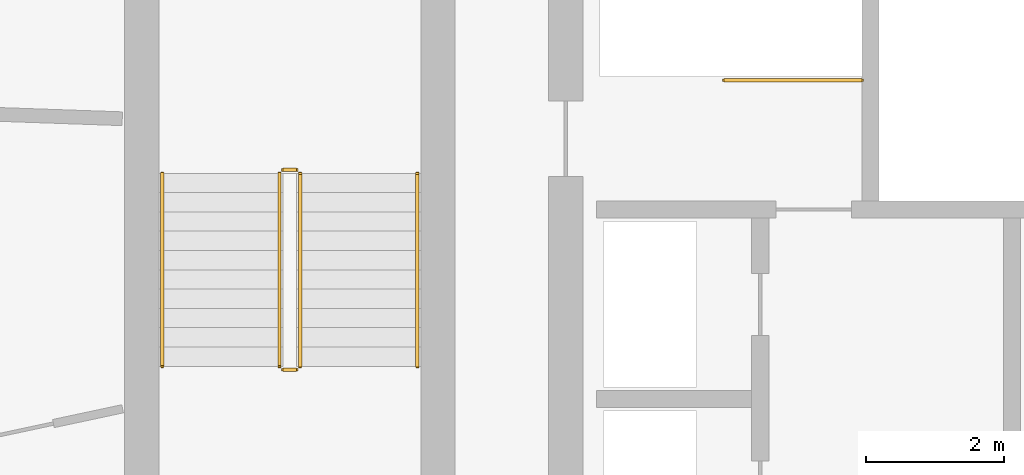
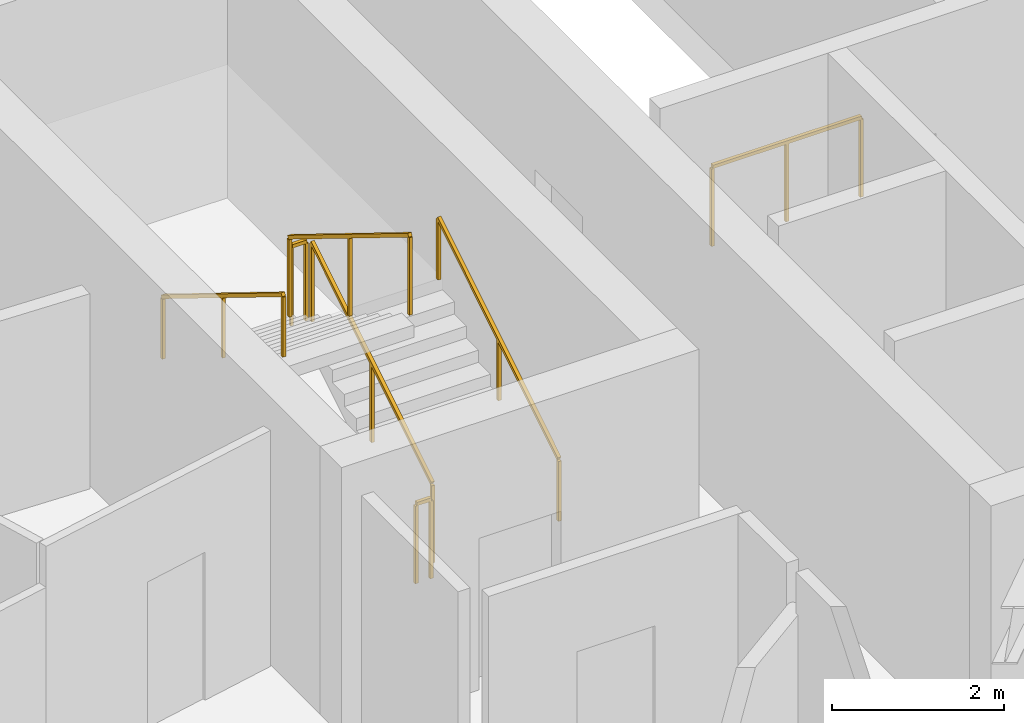
# One storey, part 20 of 22: 7 railings.
"""IFC4 building model written with IfcOpenShell, lengths in metres."""

from ifc_helpers import new_model, si_unit, direction, frame, origin, origin_2d, place, context, subcontext, project, spatial, rectangle, extrude, material, type_object, element, save


model = new_model("IFC4")

# Units and contexts
model_context = context("Model", 3, precision=1e-05, world=origin(), true_north=direction((0.0, 1.0)))
body_context = subcontext(model_context, "Body", "Model", "MODEL_VIEW")
ifc_project = project(units=[si_unit("LENGTHUNIT", "METRE"), si_unit("AREAUNIT", "SQUARE_METRE"), si_unit("VOLUMEUNIT", "CUBIC_METRE"), si_unit("PLANEANGLEUNIT", "RADIAN"), si_unit("MASSUNIT", "GRAM", prefix="KILO")], contexts=[model_context])

# Site, building, storey
site_placement = place(None, origin())
site = spatial("IfcSite", under=ifc_project, at=site_placement, CompositionType="ELEMENT")
building_placement = place(site_placement, origin())
building = spatial("IfcBuilding", under=site, at=building_placement, Name="Zuhravey Tower", CompositionType="ELEMENT")
storey_placement = place(building_placement, frame((0.0, 0.0, 357.60009765625)))
storey = spatial("IfcBuildingStorey", under=building, at=storey_placement, Name="L91", CompositionType="ELEMENT", Elevation=357.60009765625)

# Railings
ifc_material_1 = material(Name="Brushed stainless steel", Category="steel")
railing_type_1 = type_object("IfcRailingType", Name="Stair Wall Handrail 900", PredefinedType="HANDRAIL", material=ifc_material_1)
railing_1_placement = place(storey_placement, frame((23.35009765625, 29.0, 0.172607421875)))
element("IfcRailing", 1, at=railing_1_placement, inside=storey, type_object=railing_type_1, Name="L91 CST1 stair handrail 1", PredefinedType="HANDRAIL", context=body_context, shape_type="SweptSolid", body=[
    extrude(rectangle(XDim=0.048095703125, YDim=0.048095703125, at=origin_2d()), frame((0.0, 0.001708984375, 0.876953125), z_axis=(0.0, 0.851089632645, 0.525020415988), x_axis=(-1.0, 0.0, 0.0)), (0.0, 0.0, 1.0), 3.285888671875),
    extrude(rectangle(XDim=0.0419921875, YDim=0.0419921875, at=origin_2d()), origin(), (0.0, 0.0, 1.0), 0.849853515625),
    extrude(rectangle(XDim=0.0419921875, YDim=0.0419921875, at=origin_2d()), frame((0.0, 1.39990234375, 0.86376953125)), (0.0, 0.0, 1.0), 0.849853515625),
    extrude(rectangle(XDim=0.0419921875, YDim=0.0419921875, at=origin_2d()), frame((0.0, 2.800048828125, 1.727294921875)), (0.0, 0.0, 1.0), 0.849853515625),
])
railing_2_placement = place(storey_placement, frame((19.64990234375, 31.800048828125, 2.072509765625)))
element("IfcRailing", 2, at=railing_2_placement, inside=storey, type_object=railing_type_1, Name="L91 CST1 stair handrail 2", PredefinedType="HANDRAIL", context=body_context, shape_type="SweptSolid", body=[
    extrude(rectangle(XDim=0.048095703125, YDim=0.048095703125, at=origin_2d()), frame((0.0, -0.001708984375, 0.876953125), z_axis=(0.0, -0.851089632645, 0.525020415988), x_axis=(1.0, 0.0, 0.0)), (0.0, 0.0, 1.0), 3.285888671875),
    extrude(rectangle(XDim=0.0419921875, YDim=0.0419921875, at=origin_2d()), origin(), (0.0, 0.0, 1.0), 0.849853515625),
    extrude(rectangle(XDim=0.0419921875, YDim=0.0419921875, at=origin_2d()), frame((0.0, -1.39990234375, 0.86376953125)), (0.0, 0.0, 1.0), 0.849853515625),
    extrude(rectangle(XDim=0.0419921875, YDim=0.0419921875, at=origin_2d()), frame((0.0, -2.800048828125, 1.727294921875)), (0.0, 0.0, 1.0), 0.849853515625),
])
ifc_material_2 = material(Name="Painted tubular steel", Category="steel")
railing_type_2 = type_object("IfcRailingType", Name="Stair Well Guardrail 1150", PredefinedType="GUARDRAIL", material=ifc_material_2)
railing_3_placement = place(storey_placement, frame((29.800048828125, 33.14990234375, 0.0)))
element("IfcRailing", 3, at=railing_3_placement, inside=storey, type_object=railing_type_2, Name="L91 ST1 top well guard 1", PredefinedType="GUARDRAIL", context=body_context, shape_type="SweptSolid", body=[
    extrude(rectangle(XDim=0.048095703125, YDim=0.048095703125, at=origin_2d()), frame((-0.001953125, 0.0, 1.1259765625), z_axis=(-1.0, 0.0, 0.0), x_axis=(0.0, -1.0, 0.0)), (0.0, 0.0, 1.0), 1.99609375),
    extrude(rectangle(XDim=0.0419921875, YDim=0.0419921875, at=origin_2d()), origin(), (0.0, 0.0, 1.0), 1.099853515625),
    extrude(rectangle(XDim=0.0419921875, YDim=0.0419921875, at=origin_2d()), frame((-1.0, 0.0, 0.0)), (0.0, 0.0, 1.0), 1.099853515625),
    extrude(rectangle(XDim=0.0419921875, YDim=0.0419921875, at=origin_2d()), frame((-2.0, 0.0, 0.0)), (0.0, 0.0, 1.0), 1.099853515625),
])
railing_4_placement = place(storey_placement, frame((21.64990234375, 29.0, 0.172607421875)))
element("IfcRailing", 4, at=railing_4_placement, inside=storey, type_object=railing_type_2, Name="L91 CST1 stair guard 1", PredefinedType="GUARDRAIL", context=body_context, shape_type="SweptSolid", body=[
    extrude(rectangle(XDim=0.048095703125, YDim=0.048095703125, at=origin_2d()), frame((0.0, 0.001708984375, 1.126953125), z_axis=(0.0, 0.851089632645, 0.525020415988), x_axis=(-1.0, 0.0, 0.0)), (0.0, 0.0, 1.0), 3.285888671875),
    extrude(rectangle(XDim=0.0419921875, YDim=0.0419921875, at=origin_2d()), origin(), (0.0, 0.0, 1.0), 1.099853515625),
    extrude(rectangle(XDim=0.0419921875, YDim=0.0419921875, at=origin_2d()), frame((0.0, 1.39990234375, 0.86376953125)), (0.0, 0.0, 1.0), 1.099853515625),
    extrude(rectangle(XDim=0.0419921875, YDim=0.0419921875, at=origin_2d()), frame((0.0, 2.800048828125, 1.727294921875)), (0.0, 0.0, 1.0), 1.099853515625),
])
railing_5_placement = place(storey_placement, frame((21.60009765625, 31.85009765625, 1.89990234375)))
element("IfcRailing", 5, at=railing_5_placement, inside=storey, type_object=railing_type_2, Name="L91 CST1 stair guard 2", PredefinedType="GUARDRAIL", context=body_context, shape_type="SweptSolid", body=[
    extrude(rectangle(XDim=0.048095703125, YDim=0.048095703125, at=origin_2d()), frame((-0.001953125, 0.0, 1.1259765625), z_axis=(-1.0, 0.0, 0.0), x_axis=(0.0, -1.0, 0.0)), (0.0, 0.0, 1.0), 0.1962890625),
    extrude(rectangle(XDim=0.0419921875, YDim=0.0419921875, at=origin_2d()), origin(), (0.0, 0.0, 1.0), 1.099853515625),
    extrude(rectangle(XDim=0.0419921875, YDim=0.0419921875, at=origin_2d()), frame((-0.2001953125, 0.0, 0.0)), (0.0, 0.0, 1.0), 1.099853515625),
])
railing_6_placement = place(storey_placement, frame((21.35009765625, 31.800048828125, 2.072509765625)))
element("IfcRailing", 6, at=railing_6_placement, inside=storey, type_object=railing_type_2, Name="L91 CST1 stair guard 3", PredefinedType="GUARDRAIL", context=body_context, shape_type="SweptSolid", body=[
    extrude(rectangle(XDim=0.048095703125, YDim=0.048095703125, at=origin_2d()), frame((0.0, -0.001708984375, 1.126953125), z_axis=(0.0, -0.851089632645, 0.525020415988), x_axis=(1.0, 0.0, 0.0)), (0.0, 0.0, 1.0), 3.285888671875),
    extrude(rectangle(XDim=0.0419921875, YDim=0.0419921875, at=origin_2d()), origin(), (0.0, 0.0, 1.0), 1.099853515625),
    extrude(rectangle(XDim=0.0419921875, YDim=0.0419921875, at=origin_2d()), frame((0.0, -1.39990234375, 0.86376953125)), (0.0, 0.0, 1.0), 1.099853515625),
    extrude(rectangle(XDim=0.0419921875, YDim=0.0419921875, at=origin_2d()), frame((0.0, -2.800048828125, 1.727294921875)), (0.0, 0.0, 1.0), 1.099853515625),
])
railing_7_placement = place(storey_placement, frame((21.60009765625, 28.949951171875, 0.0)))
element("IfcRailing", 7, at=railing_7_placement, inside=storey, type_object=railing_type_2, Name="L91 CST1 stair guard 4", PredefinedType="GUARDRAIL", context=body_context, shape_type="SweptSolid", body=[
    extrude(rectangle(XDim=0.048095703125, YDim=0.048095703125, at=origin_2d()), frame((-0.001953125, 0.0, 1.1259765625), z_axis=(-1.0, 0.0, 0.0), x_axis=(0.0, -1.0, 0.0)), (0.0, 0.0, 1.0), 0.1962890625),
    extrude(rectangle(XDim=0.0419921875, YDim=0.0419921875, at=origin_2d()), origin(), (0.0, 0.0, 1.0), 1.099853515625),
    extrude(rectangle(XDim=0.0419921875, YDim=0.0419921875, at=origin_2d()), frame((-0.2001953125, 0.0, 0.0)), (0.0, 0.0, 1.0), 1.099853515625),
])

save(model, "model.ifc")
